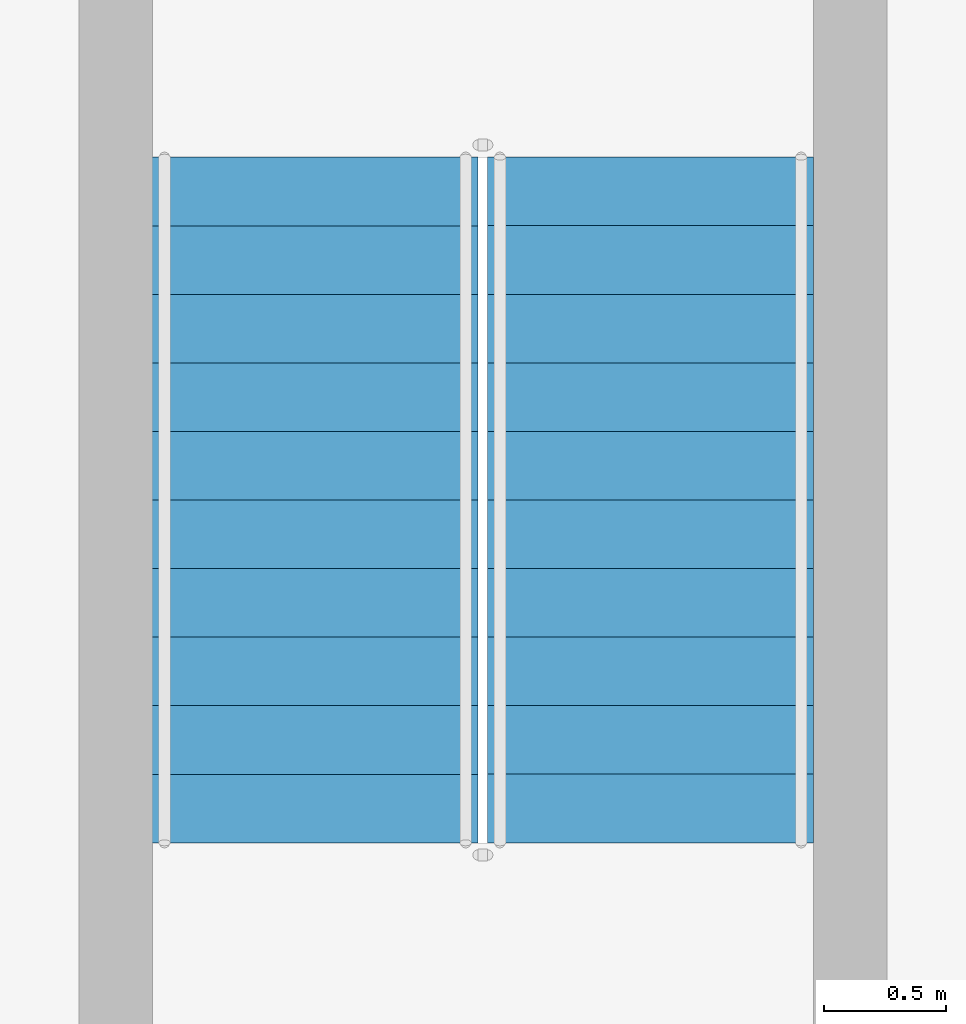
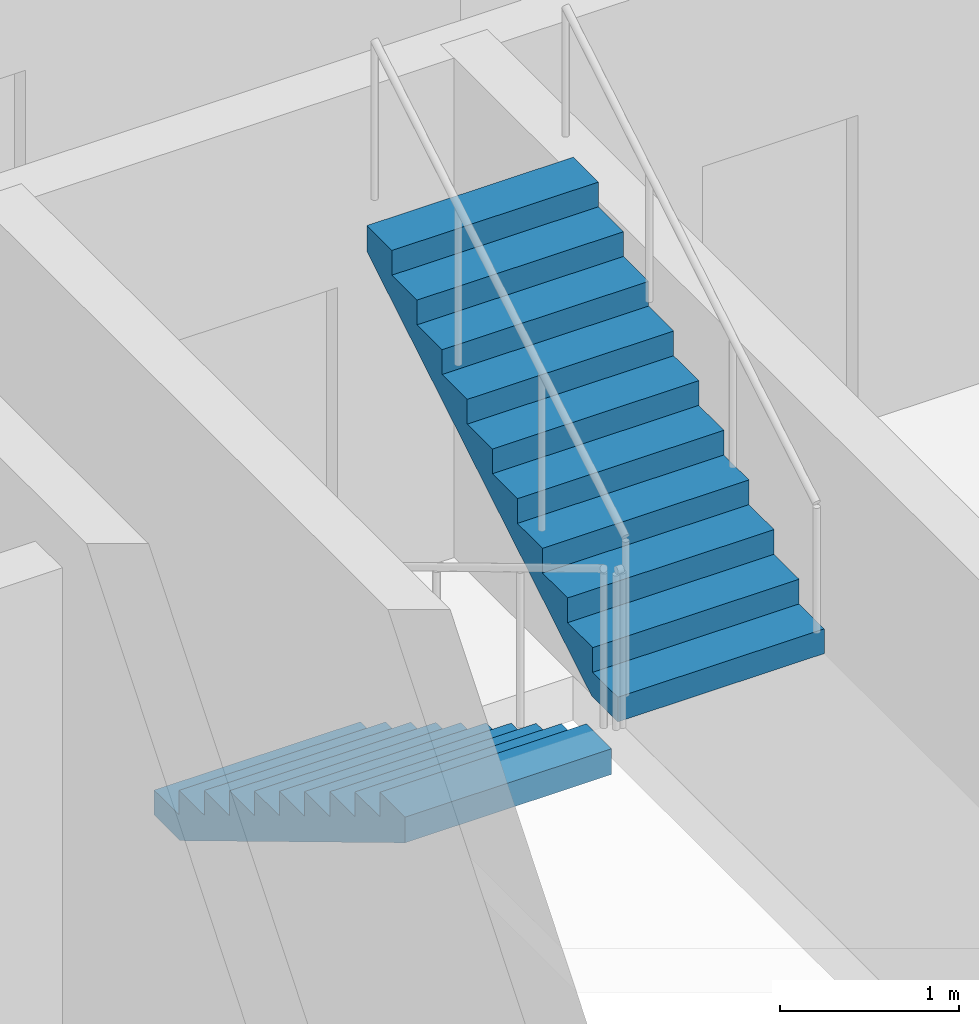
# One storey, part 15 of 19: 2 stair flights, 1 element without a shape of its own.
"""IFC4 building model written with IfcOpenShell, lengths in metres."""

from ifc_helpers import new_model, si_unit, direction, frame, origin, place, context, subcontext, project, spatial, triangles, source, transform, mapped, material, type_object, element, aggregate, save


model = new_model("IFC4")

# Units and contexts
model_context = context("Model", 3, precision=1e-05, world=origin(), true_north=direction((0.0, 1.0)))
body_context = subcontext(model_context, "Body", "Model", "MODEL_VIEW")
ifc_project = project(units=[si_unit("LENGTHUNIT", "METRE"), si_unit("AREAUNIT", "SQUARE_METRE"), si_unit("VOLUMEUNIT", "CUBIC_METRE"), si_unit("PLANEANGLEUNIT", "RADIAN"), si_unit("MASSUNIT", "GRAM", prefix="KILO")], contexts=[model_context])

# Site, building, storey
site_placement = place(None, origin())
site = spatial("IfcSite", under=ifc_project, at=site_placement, CompositionType="ELEMENT")
building_placement = place(site_placement, origin())
building = spatial("IfcBuilding", under=site, at=building_placement, Name="Ogive Portal Towers", CompositionType="ELEMENT")
storey_placement = place(building_placement, frame((0.0, 0.0, 199.5)))
storey = spatial("IfcBuildingStorey", under=building, at=storey_placement, Name="L49", CompositionType="ELEMENT", Elevation=199.5)

# Stair, stair flights
ifc_material = material(Name="Concrete C40/50", Category="concrete")
stair_type = type_object("IfcStairType", Name="INT-STAIR", PredefinedType="HALF_TURN_STAIR", material=ifc_material)
stair_placement = place(storey_placement, origin())
stair = element("IfcStair", 1, at=stair_placement, inside=storey, type_object=stair_type, Name="L49 Exit Stair ST-A4", PredefinedType="HALF_TURN_STAIR")
stair_flight_type = type_object("IfcStairFlightType", Name="INT-FLIGHT", PredefinedType="STRAIGHT", material=ifc_material)
shared_shape = source(origin(), body_context, "Body", "Tessellation", [
    triangles([(0.0, -0.6650390625, 0.0), (0.0, -0.384765625, 0.0), (0.0, -0.197021484375, 0.0), (0.0, -0.0830078125, 0.0), (0.0, -0.024658203125, 0.0), (0.0, -0.003173828125, 0.0), (0.0, 0.0, 0.0), (0.0, 0.003173828125, 0.0), (0.0, 0.024658203125, 0.0), (0.0, 0.0830078125, 0.0), (0.0, 0.197021484375, 0.0), (0.0, 0.384765625, 0.0), (0.0, 0.6650390625, 0.0), (0.0, -0.6650390625, 0.168212890625), (0.0, -0.384765625, 0.168212890625), (0.0, -0.197021484375, 0.168212890625), (0.0, -0.0830078125, 0.168212890625), (0.0, -0.024658203125, 0.168212890625), (0.0, -0.003173828125, 0.168212890625), (0.0, 0.0, 0.168212890625), (0.0, 0.003173828125, 0.168212890625), (0.0, 0.024658203125, 0.168212890625), (0.0, 0.0830078125, 0.168212890625), (0.0, 0.197021484375, 0.168212890625), (0.0, 0.384765625, 0.168212890625), (0.0, 0.6650390625, 0.168212890625), (0.280029296875, -0.6650390625, 0.168212890625), (0.280029296875, -0.384765625, 0.168212890625), (0.280029296875, -0.197021484375, 0.168212890625), (0.280029296875, -0.0830078125, 0.168212890625), (0.280029296875, -0.024658203125, 0.168212890625), (0.280029296875, -0.003173828125, 0.168212890625), (0.280029296875, 0.0, 0.168212890625), (0.280029296875, 0.003173828125, 0.168212890625), (0.280029296875, 0.024658203125, 0.168212890625), (0.280029296875, 0.0830078125, 0.168212890625), (0.280029296875, 0.197021484375, 0.168212890625), (0.280029296875, 0.384765625, 0.168212890625), (0.280029296875, 0.6650390625, 0.168212890625), (0.280029296875, -0.6650390625, 0.33642578125), (0.280029296875, -0.384765625, 0.33642578125), (0.280029296875, -0.197021484375, 0.33642578125), (0.280029296875, -0.0830078125, 0.33642578125), (0.280029296875, -0.024658203125, 0.33642578125), (0.280029296875, -0.003173828125, 0.33642578125), (0.280029296875, 0.0, 0.33642578125), (0.280029296875, 0.003173828125, 0.33642578125), (0.280029296875, 0.024658203125, 0.33642578125), (0.280029296875, 0.0830078125, 0.33642578125), (0.280029296875, 0.197021484375, 0.33642578125), (0.280029296875, 0.384765625, 0.33642578125), (0.280029296875, 0.6650390625, 0.33642578125), (0.56005859375, -0.6650390625, 0.33642578125), (0.56005859375, -0.384765625, 0.33642578125), (0.56005859375, -0.197021484375, 0.33642578125), (0.56005859375, -0.0830078125, 0.33642578125), (0.56005859375, -0.024658203125, 0.33642578125), (0.56005859375, -0.003173828125, 0.33642578125), (0.56005859375, 0.0, 0.33642578125), (0.56005859375, 0.003173828125, 0.33642578125), (0.56005859375, 0.024658203125, 0.33642578125), (0.56005859375, 0.0830078125, 0.33642578125), (0.56005859375, 0.197021484375, 0.33642578125), (0.56005859375, 0.384765625, 0.33642578125), (0.56005859375, 0.6650390625, 0.33642578125), (0.56005859375, -0.6650390625, 0.504638671875), (0.56005859375, -0.384765625, 0.504638671875), (0.56005859375, -0.197021484375, 0.504638671875), (0.56005859375, -0.0830078125, 0.504638671875), (0.56005859375, -0.024658203125, 0.504638671875), (0.56005859375, -0.003173828125, 0.504638671875), (0.56005859375, 0.0, 0.504638671875), (0.56005859375, 0.003173828125, 0.504638671875), (0.56005859375, 0.024658203125, 0.504638671875), (0.56005859375, 0.0830078125, 0.504638671875), (0.56005859375, 0.197021484375, 0.504638671875), (0.56005859375, 0.384765625, 0.504638671875), (0.56005859375, 0.6650390625, 0.504638671875), (0.840087890625, -0.6650390625, 0.504638671875), (0.840087890625, -0.384765625, 0.504638671875), (0.840087890625, -0.197021484375, 0.504638671875), (0.840087890625, -0.0830078125, 0.504638671875), (0.840087890625, -0.024658203125, 0.504638671875), (0.840087890625, -0.003173828125, 0.504638671875), (0.840087890625, 0.0, 0.504638671875), (0.840087890625, 0.003173828125, 0.504638671875), (0.840087890625, 0.024658203125, 0.504638671875), (0.840087890625, 0.0830078125, 0.504638671875), (0.840087890625, 0.197021484375, 0.504638671875), (0.840087890625, 0.384765625, 0.504638671875), (0.840087890625, 0.6650390625, 0.504638671875), (0.840087890625, -0.6650390625, 0.672607421875), (0.840087890625, -0.384765625, 0.672607421875), (0.840087890625, -0.197021484375, 0.672607421875), (0.840087890625, -0.0830078125, 0.672607421875), (0.840087890625, -0.024658203125, 0.672607421875), (0.840087890625, -0.003173828125, 0.672607421875), (0.840087890625, 0.0, 0.672607421875), (0.840087890625, 0.003173828125, 0.672607421875), (0.840087890625, 0.024658203125, 0.672607421875), (0.840087890625, 0.0830078125, 0.672607421875), (0.840087890625, 0.197021484375, 0.672607421875), (0.840087890625, 0.384765625, 0.672607421875), (0.840087890625, 0.6650390625, 0.672607421875), (1.1201171875, -0.6650390625, 0.672607421875), (1.1201171875, -0.384765625, 0.672607421875), (1.1201171875, -0.197021484375, 0.672607421875), (1.1201171875, -0.0830078125, 0.672607421875), (1.1201171875, -0.024658203125, 0.672607421875), (1.1201171875, -0.003173828125, 0.672607421875), (1.1201171875, 0.0, 0.672607421875), (1.1201171875, 0.003173828125, 0.672607421875), (1.1201171875, 0.024658203125, 0.672607421875), (1.1201171875, 0.0830078125, 0.672607421875), (1.1201171875, 0.197021484375, 0.672607421875), (1.1201171875, 0.384765625, 0.672607421875), (1.1201171875, 0.6650390625, 0.672607421875), (1.1201171875, -0.6650390625, 0.8408203125), (1.1201171875, -0.384765625, 0.8408203125), (1.1201171875, -0.197021484375, 0.8408203125), (1.1201171875, -0.0830078125, 0.8408203125), (1.1201171875, -0.024658203125, 0.8408203125), (1.1201171875, -0.003173828125, 0.8408203125), (1.1201171875, 0.0, 0.8408203125), (1.1201171875, 0.003173828125, 0.8408203125), (1.1201171875, 0.024658203125, 0.8408203125), (1.1201171875, 0.0830078125, 0.8408203125), (1.1201171875, 0.197021484375, 0.8408203125), (1.1201171875, 0.384765625, 0.8408203125), (1.1201171875, 0.6650390625, 0.8408203125), (1.39990234375, -0.6650390625, 0.8408203125), (1.39990234375, -0.384765625, 0.8408203125), (1.39990234375, -0.197021484375, 0.8408203125), (1.39990234375, -0.0830078125, 0.8408203125), (1.39990234375, -0.024658203125, 0.8408203125), (1.39990234375, -0.003173828125, 0.8408203125), (1.39990234375, 0.0, 0.8408203125), (1.39990234375, 0.003173828125, 0.8408203125), (1.39990234375, 0.024658203125, 0.8408203125), (1.39990234375, 0.0830078125, 0.8408203125), (1.39990234375, 0.197021484375, 0.8408203125), (1.39990234375, 0.384765625, 0.8408203125), (1.39990234375, 0.6650390625, 0.8408203125), (1.39990234375, -0.6650390625, 1.009033203125), (1.39990234375, -0.384765625, 1.009033203125), (1.39990234375, -0.197021484375, 1.009033203125), (1.39990234375, -0.0830078125, 1.009033203125), (1.39990234375, -0.024658203125, 1.009033203125), (1.39990234375, -0.003173828125, 1.009033203125), (1.39990234375, 0.0, 1.009033203125), (1.39990234375, 0.003173828125, 1.009033203125), (1.39990234375, 0.024658203125, 1.009033203125), (1.39990234375, 0.0830078125, 1.009033203125), (1.39990234375, 0.197021484375, 1.009033203125), (1.39990234375, 0.384765625, 1.009033203125), (1.39990234375, 0.6650390625, 1.009033203125), (1.679931640625, -0.6650390625, 1.009033203125), (1.679931640625, -0.384765625, 1.009033203125), (1.679931640625, -0.197021484375, 1.009033203125), (1.679931640625, -0.0830078125, 1.009033203125), (1.679931640625, -0.024658203125, 1.009033203125), (1.679931640625, -0.003173828125, 1.009033203125), (1.679931640625, 0.0, 1.009033203125), (1.679931640625, 0.003173828125, 1.009033203125), (1.679931640625, 0.024658203125, 1.009033203125), (1.679931640625, 0.0830078125, 1.009033203125), (1.679931640625, 0.197021484375, 1.009033203125), (1.679931640625, 0.384765625, 1.009033203125), (1.679931640625, 0.6650390625, 1.009033203125), (1.679931640625, -0.6650390625, 1.17724609375), (1.679931640625, -0.384765625, 1.17724609375), (1.679931640625, -0.197021484375, 1.17724609375), (1.679931640625, -0.0830078125, 1.17724609375), (1.679931640625, -0.024658203125, 1.17724609375), (1.679931640625, -0.003173828125, 1.17724609375), (1.679931640625, 0.0, 1.17724609375), (1.679931640625, 0.003173828125, 1.17724609375), (1.679931640625, 0.024658203125, 1.17724609375), (1.679931640625, 0.0830078125, 1.17724609375), (1.679931640625, 0.197021484375, 1.17724609375), (1.679931640625, 0.384765625, 1.17724609375), (1.679931640625, 0.6650390625, 1.17724609375), (1.9599609375, -0.6650390625, 1.17724609375), (1.9599609375, -0.384765625, 1.17724609375), (1.9599609375, -0.197021484375, 1.17724609375), (1.9599609375, -0.0830078125, 1.17724609375), (1.9599609375, -0.024658203125, 1.17724609375), (1.9599609375, -0.003173828125, 1.17724609375), (1.9599609375, 0.0, 1.17724609375), (1.9599609375, 0.003173828125, 1.17724609375), (1.9599609375, 0.024658203125, 1.17724609375), (1.9599609375, 0.0830078125, 1.17724609375), (1.9599609375, 0.197021484375, 1.17724609375), (1.9599609375, 0.384765625, 1.17724609375), (1.9599609375, 0.6650390625, 1.17724609375), (1.9599609375, -0.6650390625, 1.345458984375), (1.9599609375, -0.384765625, 1.345458984375), (1.9599609375, -0.197021484375, 1.345458984375), (1.9599609375, -0.0830078125, 1.345458984375), (1.9599609375, -0.024658203125, 1.345458984375), (1.9599609375, -0.003173828125, 1.345458984375), (1.9599609375, 0.0, 1.345458984375), (1.9599609375, 0.003173828125, 1.345458984375), (1.9599609375, 0.024658203125, 1.345458984375), (1.9599609375, 0.0830078125, 1.345458984375), (1.9599609375, 0.197021484375, 1.345458984375), (1.9599609375, 0.384765625, 1.345458984375), (1.9599609375, 0.6650390625, 1.345458984375), (2.239990234375, -0.6650390625, 1.345458984375), (2.239990234375, -0.384765625, 1.345458984375), (2.239990234375, -0.197021484375, 1.345458984375), (2.239990234375, -0.0830078125, 1.345458984375), (2.239990234375, -0.024658203125, 1.345458984375), (2.239990234375, -0.003173828125, 1.345458984375), (2.239990234375, 0.0, 1.345458984375), (2.239990234375, 0.003173828125, 1.345458984375), (2.239990234375, 0.024658203125, 1.345458984375), (2.239990234375, 0.0830078125, 1.345458984375), (2.239990234375, 0.197021484375, 1.345458984375), (2.239990234375, 0.384765625, 1.345458984375), (2.239990234375, 0.6650390625, 1.345458984375), (2.239990234375, -0.6650390625, 1.513671875), (2.239990234375, -0.384765625, 1.513671875), (2.239990234375, -0.197021484375, 1.513671875), (2.239990234375, -0.0830078125, 1.513671875), (2.239990234375, -0.024658203125, 1.513671875), (2.239990234375, -0.003173828125, 1.513671875), (2.239990234375, 0.0, 1.513671875), (2.239990234375, 0.003173828125, 1.513671875), (2.239990234375, 0.024658203125, 1.513671875), (2.239990234375, 0.0830078125, 1.513671875), (2.239990234375, 0.197021484375, 1.513671875), (2.239990234375, 0.384765625, 1.513671875), (2.239990234375, 0.6650390625, 1.513671875), (2.52001953125, -0.6650390625, 1.513671875), (2.52001953125, -0.384765625, 1.513671875), (2.52001953125, -0.197021484375, 1.513671875), (2.52001953125, -0.0830078125, 1.513671875), (2.52001953125, -0.024658203125, 1.513671875), (2.52001953125, -0.003173828125, 1.513671875), (2.52001953125, 0.0, 1.513671875), (2.52001953125, 0.003173828125, 1.513671875), (2.52001953125, 0.024658203125, 1.513671875), (2.52001953125, 0.0830078125, 1.513671875), (2.52001953125, 0.197021484375, 1.513671875), (2.52001953125, 0.384765625, 1.513671875), (2.52001953125, 0.6650390625, 1.513671875), (2.52001953125, -0.6650390625, 1.681884765625), (2.52001953125, -0.384765625, 1.681884765625), (2.52001953125, -0.197021484375, 1.681884765625), (2.52001953125, -0.0830078125, 1.681884765625), (2.52001953125, -0.024658203125, 1.681884765625), (2.52001953125, -0.003173828125, 1.681884765625), (2.52001953125, 0.0, 1.681884765625), (2.52001953125, 0.003173828125, 1.681884765625), (2.52001953125, 0.024658203125, 1.681884765625), (2.52001953125, 0.0830078125, 1.681884765625), (2.52001953125, 0.197021484375, 1.681884765625), (2.52001953125, 0.384765625, 1.681884765625), (2.52001953125, 0.6650390625, 1.681884765625), (2.800048828125, -0.6650390625, 1.681884765625), (2.800048828125, -0.384765625, 1.681884765625), (2.800048828125, -0.197021484375, 1.681884765625), (2.800048828125, -0.0830078125, 1.681884765625), (2.800048828125, -0.024658203125, 1.681884765625), (2.800048828125, -0.003173828125, 1.681884765625), (2.800048828125, 0.0, 1.681884765625), (2.800048828125, 0.003173828125, 1.681884765625), (2.800048828125, 0.024658203125, 1.681884765625), (2.800048828125, 0.0830078125, 1.681884765625), (2.800048828125, 0.197021484375, 1.681884765625), (2.800048828125, 0.384765625, 1.681884765625), (2.800048828125, 0.6650390625, 1.681884765625), (2.800048828125, -0.6650390625, 1.5068359375), (2.800048828125, -0.384765625, 1.5068359375), (2.800048828125, -0.197021484375, 1.5068359375), (2.800048828125, -0.0830078125, 1.5068359375), (2.800048828125, -0.024658203125, 1.5068359375), (2.800048828125, -0.003173828125, 1.5068359375), (2.800048828125, 0.0, 1.5068359375), (2.800048828125, 0.003173828125, 1.5068359375), (2.800048828125, 0.024658203125, 1.5068359375), (2.800048828125, 0.0830078125, 1.5068359375), (2.800048828125, 0.197021484375, 1.5068359375), (2.800048828125, 0.384765625, 1.5068359375), (2.800048828125, 0.6650390625, 1.5068359375), (0.291015625, -0.6650390625, 0.0), (0.291015625, -0.384765625, 0.0), (0.291015625, -0.197021484375, 0.0), (0.291015625, -0.0830078125, 0.0), (0.291015625, -0.024658203125, 0.0), (0.291015625, -0.003173828125, 0.0), (0.291015625, 0.0, 0.0), (0.291015625, 0.003173828125, 0.0), (0.291015625, 0.024658203125, 0.0), (0.291015625, 0.0830078125, 0.0), (0.291015625, 0.197021484375, 0.0), (0.291015625, 0.384765625, 0.0), (0.291015625, 0.6650390625, 0.0)], [[1, 14, 15], [1, 15, 2], [2, 15, 16], [2, 16, 3], [3, 16, 17], [3, 17, 4], [4, 17, 18], [4, 18, 5], [5, 18, 19], [5, 19, 6], [6, 19, 20], [6, 20, 7], [7, 20, 21], [7, 21, 8], [8, 21, 22], [8, 22, 9], [9, 22, 23], [9, 23, 10], [10, 23, 24], [10, 24, 11], [11, 24, 25], [11, 25, 12], [12, 25, 26], [12, 26, 13], [14, 27, 28], [14, 28, 15], [15, 28, 29], [15, 29, 16], [16, 29, 30], [16, 30, 17], [17, 30, 31], [17, 31, 18], [18, 31, 32], [18, 32, 19], [19, 32, 33], [19, 33, 20], [20, 33, 34], [20, 34, 21], [21, 34, 35], [21, 35, 22], [22, 35, 36], [22, 36, 23], [23, 36, 37], [23, 37, 24], [24, 37, 38], [24, 38, 25], [25, 38, 39], [25, 39, 26], [27, 40, 41], [27, 41, 28], [28, 41, 42], [28, 42, 29], [29, 42, 43], [29, 43, 30], [30, 43, 44], [30, 44, 31], [31, 44, 45], [31, 45, 32], [32, 45, 46], [32, 46, 33], [33, 46, 47], [33, 47, 34], [34, 47, 48], [34, 48, 35], [35, 48, 49], [35, 49, 36], [36, 49, 50], [36, 50, 37], [37, 50, 51], [37, 51, 38], [38, 51, 52], [38, 52, 39], [40, 53, 54], [40, 54, 41], [41, 54, 55], [41, 55, 42], [42, 55, 56], [42, 56, 43], [43, 56, 57], [43, 57, 44], [44, 57, 58], [44, 58, 45], [45, 58, 59], [45, 59, 46], [46, 59, 60], [46, 60, 47], [47, 60, 61], [47, 61, 48], [48, 61, 62], [48, 62, 49], [49, 62, 63], [49, 63, 50], [50, 63, 64], [50, 64, 51], [51, 64, 65], [51, 65, 52], [53, 66, 67], [53, 67, 54], [54, 67, 68], [54, 68, 55], [55, 68, 69], [55, 69, 56], [56, 69, 70], [56, 70, 57], [57, 70, 71], [57, 71, 58], [58, 71, 72], [58, 72, 59], [59, 72, 73], [59, 73, 60], [60, 73, 74], [60, 74, 61], [61, 74, 75], [61, 75, 62], [62, 75, 76], [62, 76, 63], [63, 76, 77], [63, 77, 64], [64, 77, 78], [64, 78, 65], [66, 79, 80], [66, 80, 67], [67, 80, 81], [67, 81, 68], [68, 81, 82], [68, 82, 69], [69, 82, 83], [69, 83, 70], [70, 83, 84], [70, 84, 71], [71, 84, 85], [71, 85, 72], [72, 85, 86], [72, 86, 73], [73, 86, 87], [73, 87, 74], [74, 87, 88], [74, 88, 75], [75, 88, 89], [75, 89, 76], [76, 89, 90], [76, 90, 77], [77, 90, 91], [77, 91, 78], [79, 92, 93], [79, 93, 80], [80, 93, 94], [80, 94, 81], [81, 94, 95], [81, 95, 82], [82, 95, 96], [82, 96, 83], [83, 96, 97], [83, 97, 84], [84, 97, 98], [84, 98, 85], [85, 98, 99], [85, 99, 86], [86, 99, 100], [86, 100, 87], [87, 100, 101], [87, 101, 88], [88, 101, 102], [88, 102, 89], [89, 102, 103], [89, 103, 90], [90, 103, 104], [90, 104, 91], [92, 105, 106], [92, 106, 93], [93, 106, 107], [93, 107, 94], [94, 107, 108], [94, 108, 95], [95, 108, 109], [95, 109, 96], [96, 109, 110], [96, 110, 97], [97, 110, 111], [97, 111, 98], [98, 111, 112], [98, 112, 99], [99, 112, 113], [99, 113, 100], [100, 113, 114], [100, 114, 101], [101, 114, 115], [101, 115, 102], [102, 115, 116], [102, 116, 103], [103, 116, 117], [103, 117, 104], [105, 118, 119], [105, 119, 106], [106, 119, 120], [106, 120, 107], [107, 120, 121], [107, 121, 108], [108, 121, 122], [108, 122, 109], [109, 122, 123], [109, 123, 110], [110, 123, 124], [110, 124, 111], [111, 124, 125], [111, 125, 112], [112, 125, 126], [112, 126, 113], [113, 126, 127], [113, 127, 114], [114, 127, 128], [114, 128, 115], [115, 128, 129], [115, 129, 116], [116, 129, 130], [116, 130, 117], [118, 131, 132], [118, 132, 119], [119, 132, 133], [119, 133, 120], [120, 133, 134], [120, 134, 121], [121, 134, 135], [121, 135, 122], [122, 135, 136], [122, 136, 123], [123, 136, 137], [123, 137, 124], [124, 137, 138], [124, 138, 125], [125, 138, 139], [125, 139, 126], [126, 139, 140], [126, 140, 127], [127, 140, 141], [127, 141, 128], [128, 141, 142], [128, 142, 129], [129, 142, 143], [129, 143, 130], [131, 144, 145], [131, 145, 132], [132, 145, 146], [132, 146, 133], [133, 146, 147], [133, 147, 134], [134, 147, 148], [134, 148, 135], [135, 148, 149], [135, 149, 136], [136, 149, 150], [136, 150, 137], [137, 150, 151], [137, 151, 138], [138, 151, 152], [138, 152, 139], [139, 152, 153], [139, 153, 140], [140, 153, 154], [140, 154, 141], [141, 154, 155], [141, 155, 142], [142, 155, 156], [142, 156, 143], [144, 157, 158], [144, 158, 145], [145, 158, 159], [145, 159, 146], [146, 159, 160], [146, 160, 147], [147, 160, 161], [147, 161, 148], [148, 161, 162], [148, 162, 149], [149, 162, 163], [149, 163, 150], [150, 163, 164], [150, 164, 151], [151, 164, 165], [151, 165, 152], [152, 165, 166], [152, 166, 153], [153, 166, 167], [153, 167, 154], [154, 167, 168], [154, 168, 155], [155, 168, 169], [155, 169, 156], [157, 170, 171], [157, 171, 158], [158, 171, 172], [158, 172, 159], [159, 172, 173], [159, 173, 160], [160, 173, 174], [160, 174, 161], [161, 174, 175], [161, 175, 162], [162, 175, 176], [162, 176, 163], [163, 176, 177], [163, 177, 164], [164, 177, 178], [164, 178, 165], [165, 178, 179], [165, 179, 166], [166, 179, 180], [166, 180, 167], [167, 180, 181], [167, 181, 168], [168, 181, 182], [168, 182, 169], [170, 183, 184], [170, 184, 171], [171, 184, 185], [171, 185, 172], [172, 185, 186], [172, 186, 173], [173, 186, 187], [173, 187, 174], [174, 187, 188], [174, 188, 175], [175, 188, 189], [175, 189, 176], [176, 189, 190], [176, 190, 177], [177, 190, 191], [177, 191, 178], [178, 191, 192], [178, 192, 179], [179, 192, 193], [179, 193, 180], [180, 193, 194], [180, 194, 181], [181, 194, 195], [181, 195, 182], [183, 196, 197], [183, 197, 184], [184, 197, 198], [184, 198, 185], [185, 198, 199], [185, 199, 186], [186, 199, 200], [186, 200, 187], [187, 200, 201], [187, 201, 188], [188, 201, 202], [188, 202, 189], [189, 202, 203], [189, 203, 190], [190, 203, 204], [190, 204, 191], [191, 204, 205], [191, 205, 192], [192, 205, 206], [192, 206, 193], [193, 206, 207], [193, 207, 194], [194, 207, 208], [194, 208, 195], [196, 209, 210], [196, 210, 197], [197, 210, 211], [197, 211, 198], [198, 211, 212], [198, 212, 199], [199, 212, 213], [199, 213, 200], [200, 213, 214], [200, 214, 201], [201, 214, 215], [201, 215, 202], [202, 215, 216], [202, 216, 203], [203, 216, 217], [203, 217, 204], [204, 217, 218], [204, 218, 205], [205, 218, 219], [205, 219, 206], [206, 219, 220], [206, 220, 207], [207, 220, 221], [207, 221, 208], [209, 222, 223], [209, 223, 210], [210, 223, 224], [210, 224, 211], [211, 224, 225], [211, 225, 212], [212, 225, 226], [212, 226, 213], [213, 226, 227], [213, 227, 214], [214, 227, 228], [214, 228, 215], [215, 228, 229], [215, 229, 216], [216, 229, 230], [216, 230, 217], [217, 230, 231], [217, 231, 218], [218, 231, 232], [218, 232, 219], [219, 232, 233], [219, 233, 220], [220, 233, 234], [220, 234, 221], [222, 235, 236], [222, 236, 223], [223, 236, 237], [223, 237, 224], [224, 237, 238], [224, 238, 225], [225, 238, 239], [225, 239, 226], [226, 239, 240], [226, 240, 227], [227, 240, 241], [227, 241, 228], [228, 241, 242], [228, 242, 229], [229, 242, 243], [229, 243, 230], [230, 243, 244], [230, 244, 231], [231, 244, 245], [231, 245, 232], [232, 245, 246], [232, 246, 233], [233, 246, 247], [233, 247, 234], [235, 248, 249], [235, 249, 236], [236, 249, 250], [236, 250, 237], [237, 250, 251], [237, 251, 238], [238, 251, 252], [238, 252, 239], [239, 252, 253], [239, 253, 240], [240, 253, 254], [240, 254, 241], [241, 254, 255], [241, 255, 242], [242, 255, 256], [242, 256, 243], [243, 256, 257], [243, 257, 244], [244, 257, 258], [244, 258, 245], [245, 258, 259], [245, 259, 246], [246, 259, 260], [246, 260, 247], [248, 261, 262], [248, 262, 249], [249, 262, 263], [249, 263, 250], [250, 263, 264], [250, 264, 251], [251, 264, 265], [251, 265, 252], [252, 265, 266], [252, 266, 253], [253, 266, 267], [253, 267, 254], [254, 267, 268], [254, 268, 255], [255, 268, 269], [255, 269, 256], [256, 269, 270], [256, 270, 257], [257, 270, 271], [257, 271, 258], [258, 271, 272], [258, 272, 259], [259, 272, 273], [259, 273, 260], [261, 274, 275], [261, 275, 262], [262, 275, 276], [262, 276, 263], [263, 276, 277], [263, 277, 264], [264, 277, 278], [264, 278, 265], [265, 278, 279], [265, 279, 266], [266, 279, 280], [266, 280, 267], [267, 280, 281], [267, 281, 268], [268, 281, 282], [268, 282, 269], [269, 282, 283], [269, 283, 270], [270, 283, 284], [270, 284, 271], [271, 284, 285], [271, 285, 272], [272, 285, 286], [272, 286, 273], [274, 287, 288], [274, 288, 275], [275, 288, 289], [275, 289, 276], [276, 289, 290], [276, 290, 277], [277, 290, 291], [277, 291, 278], [278, 291, 292], [278, 292, 279], [279, 292, 293], [279, 293, 280], [280, 293, 294], [280, 294, 281], [281, 294, 295], [281, 295, 282], [282, 295, 296], [282, 296, 283], [283, 296, 297], [283, 297, 284], [284, 297, 298], [284, 298, 285], [285, 298, 299], [285, 299, 286], [287, 1, 2], [287, 2, 288], [288, 2, 3], [288, 3, 289], [289, 3, 4], [289, 4, 290], [290, 4, 5], [290, 5, 291], [291, 5, 6], [291, 6, 292], [292, 6, 7], [292, 7, 293], [293, 7, 8], [293, 8, 294], [294, 8, 9], [294, 9, 295], [295, 9, 10], [295, 10, 296], [296, 10, 11], [296, 11, 297], [297, 11, 12], [297, 12, 298], [298, 12, 13], [298, 13, 299], [1, 287, 274], [13, 286, 299], [274, 261, 248], [286, 260, 273], [274, 248, 235], [286, 247, 260], [274, 235, 222], [286, 234, 247], [274, 222, 209], [286, 221, 234], [209, 196, 183], [221, 195, 208], [274, 209, 183], [286, 195, 221], [183, 170, 157], [195, 169, 182], [274, 183, 157], [286, 169, 195], [157, 144, 131], [169, 143, 156], [274, 157, 131], [286, 143, 169], [131, 118, 105], [143, 117, 130], [274, 131, 105], [286, 117, 143], [1, 274, 105], [13, 117, 286], [105, 92, 79], [117, 91, 104], [79, 66, 53], [91, 65, 78], [105, 79, 53], [117, 65, 91], [53, 40, 27], [65, 39, 52], [105, 53, 27], [117, 39, 65], [1, 105, 27], [13, 39, 117], [27, 14, 1], [39, 13, 26]], closed=True),
])
stair_flight_1_placement = place(storey_placement, frame((87.6650390625, 29.169921875, 0.0), z_axis=(0.0, 0.0, 1.0), x_axis=(0.0, -1.0, 0.0)))
stair_flight_1 = element("IfcStairFlight", 2, at=stair_flight_1_placement, type_object=stair_flight_type, Name="ST-A4 flight 1", NumberOfRisers=11, NumberOfTreads=10, PredefinedType="STRAIGHT", RiserHeight=0.168181818, TreadLength=0.28, context=body_context, shape_type="MappedRepresentation", body=[
    mapped(shared_shape, transform((0.0, 0.0, 0.0), scale=1.0)),
])
stair_flight_2_placement = place(storey_placement, frame((89.034912109375, 26.3701171875, 1.85009765625), z_axis=(0.0, 0.0, 1.0), x_axis=(0.0, 1.0, 0.0)))
stair_flight_2 = element("IfcStairFlight", 3, at=stair_flight_2_placement, type_object=stair_flight_type, Name="ST-A4 flight 2", NumberOfRisers=11, NumberOfTreads=10, PredefinedType="STRAIGHT", RiserHeight=0.168181818, TreadLength=0.28, context=body_context, shape_type="MappedRepresentation", body=[
    mapped(shared_shape, transform((0.0, 0.0, 0.0), scale=1.0)),
])
aggregate(stair, [stair_flight_1, stair_flight_2])

save(model, "model.ifc")
